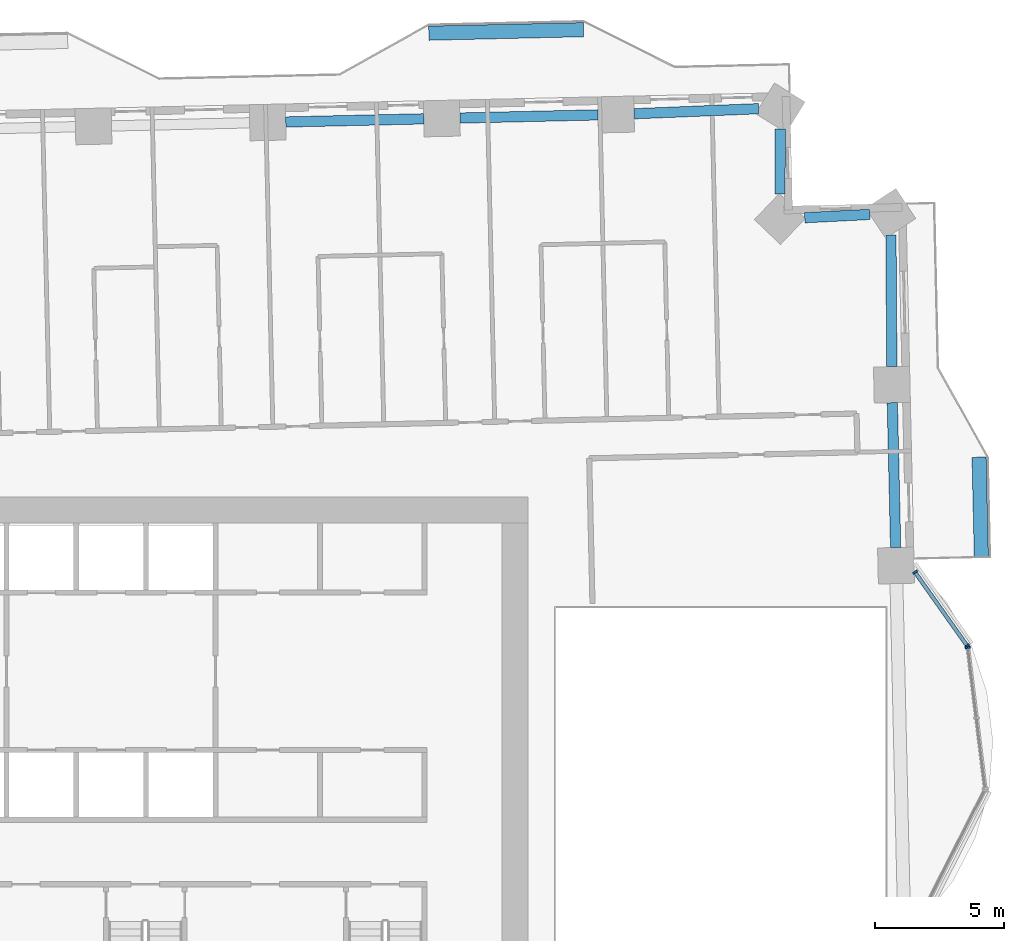
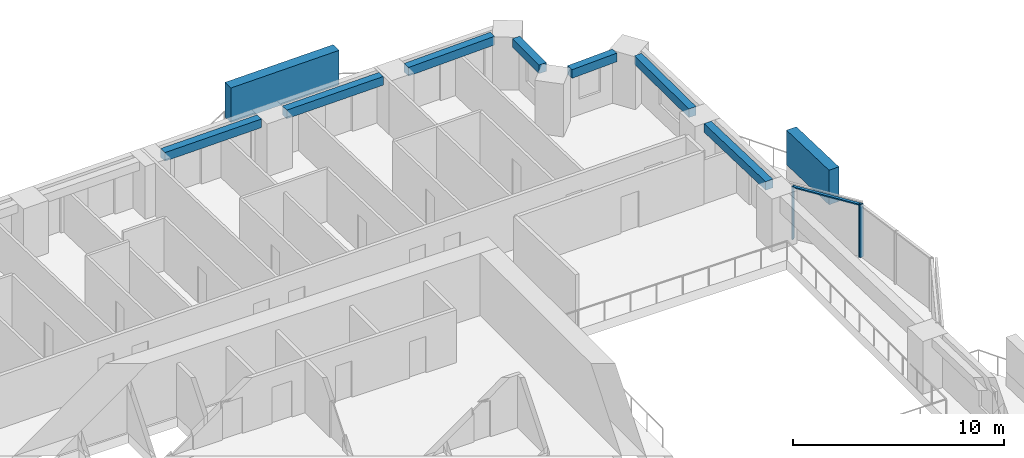
# One storey, part 4 of 17: 7 beams, 6 members, 2 elements without a shape of their own.
"""IFC4 building model written with IfcOpenShell, lengths in metres."""

from ifc_helpers import new_model, si_unit, direction, frame, origin, origin_2d, place, context, subcontext, project, spatial, rectangle, extrude, material, material_profile, profile_set, type_object, element, aggregate, save


model = new_model("IFC4")

# Units and contexts
model_context = context("Model", 3, precision=1e-05, world=origin(), true_north=direction((0.0, 1.0)))
body_context = subcontext(model_context, "Body", "Model", "MODEL_VIEW")
ifc_project = project(units=[si_unit("LENGTHUNIT", "METRE"), si_unit("AREAUNIT", "SQUARE_METRE"), si_unit("VOLUMEUNIT", "CUBIC_METRE"), si_unit("PLANEANGLEUNIT", "RADIAN"), si_unit("MASSUNIT", "GRAM", prefix="KILO")], contexts=[model_context])

# Site, building, storey
site_placement = place(None, origin())
site = spatial("IfcSite", under=ifc_project, at=site_placement, CompositionType="ELEMENT")
building_placement = place(site_placement, origin())
building = spatial("IfcBuilding", under=site, at=building_placement, Name="Mangrove Gate Tower", CompositionType="ELEMENT")
storey_placement = place(building_placement, frame((0.0, 0.0, 93.699951171875)))
storey = spatial("IfcBuildingStorey", under=building, at=storey_placement, Name="L23", CompositionType="ELEMENT", Elevation=93.699951171875)

# Curtain wall, member
ifc_material_1 = material(Name="Aluminium and glass curtain wall", Category="aluminium")
curtain_wall_type = type_object("IfcCurtainWallType", Name="Atrium garden-court glazing wall", PredefinedType="NOTDEFINED", material=ifc_material_1)
curtain_wall_1_placement = place(storey_placement, origin())
curtain_wall_1 = element("IfcCurtainWall", 1, at=curtain_wall_1_placement, inside=storey, type_object=curtain_wall_type, Name="Atrium garden-court glazing E1f2", PredefinedType="NOTDEFINED")
ifc_material_2 = material(Name="Aluminium alloy 6063-T6", Category="aluminium")
ifc_material_profile_1 = material_profile(ifc_material_2, rectangle(XDim=0.070068359375, YDim=0.199951171875, at=origin_2d()))
ifc_profile_set_1 = profile_set([ifc_material_profile_1], Name="Aluminium alloy 6063-T6")
member_type_1 = type_object("IfcMemberType", Name="Atrium garden-court glazing mullion 70x200", PredefinedType="MULLION", material=ifc_profile_set_1)
member_1_placement = place(storey_placement, frame((31.85546875, 5.97509765625, 0.0), z_axis=(0.0, 0.0, 1.0), x_axis=(-0.122172286076, 0.992508908028, 0.0)))
member_1 = element("IfcMember", 2, at=member_1_placement, type_object=member_type_1, Name="CWA mullion 3", PredefinedType="MULLION", context=body_context, shape_type="SweptSolid", body=[
    extrude(rectangle(XDim=0.070068359375, YDim=0.199951171875, at=origin_2d()), origin(), (0.0, 0.0, 1.0), 3.050048828125),
])
aggregate(curtain_wall_1, [member_1])

# Curtain wall, members
curtain_wall_2_placement = place(storey_placement, origin())
curtain_wall_2 = element("IfcCurtainWall", 3, at=curtain_wall_2_placement, inside=storey, type_object=curtain_wall_type, Name="Atrium garden-court glazing E1f3", PredefinedType="NOTDEFINED")
member_2_placement = place(storey_placement, frame((31.8310546875, 6.038330078125, 0.0), z_axis=(0.0, 0.0, 1.0), x_axis=(-0.578109291006, 0.815959341911, 0.0)))
member_2 = element("IfcMember", 4, at=member_2_placement, type_object=member_type_1, Name="CWA mullion 1", PredefinedType="MULLION", context=body_context, shape_type="SweptSolid", body=[
    extrude(rectangle(XDim=0.070068359375, YDim=0.199951171875, at=origin_2d()), origin(), (0.0, 0.0, 1.0), 3.050048828125),
])
member_3_placement = place(storey_placement, frame((29.808837890625, 8.892578125, 0.0), z_axis=(0.0, 0.0, 1.0), x_axis=(-0.578109291006, 0.815959341911, 0.0)))
member_3 = element("IfcMember", 5, at=member_3_placement, type_object=member_type_1, Name="CWA mullion 2", PredefinedType="MULLION", context=body_context, shape_type="SweptSolid", body=[
    extrude(rectangle(XDim=0.070068359375, YDim=0.199951171875, at=origin_2d()), origin(), (0.0, 0.0, 1.0), 3.050048828125),
])
ifc_material_3 = material(Name="Aluminium alloy 6063-T6", Category="aluminium")
ifc_material_profile_2 = material_profile(ifc_material_3, rectangle(XDim=0.070068359375, YDim=0.14990234375, at=origin_2d()))
ifc_profile_set_2 = profile_set([ifc_material_profile_2], Name="Aluminium alloy 6063-T6")
member_type_2 = type_object("IfcMemberType", Name="Atrium garden-court glazing transom 70x150", PredefinedType="USERDEFINED", material=ifc_profile_set_2)
member_4_placement = place(storey_placement, frame((31.810791015625, 6.06689453125, 3.01513671875), z_axis=(-0.578094404228, 0.815969889028, 0.0), x_axis=(0.0, 0.0, 1.0)))
member_4 = element("IfcMember", 6, at=member_4_placement, type_object=member_type_2, Name="CWA transom 1.2", ObjectType="TRANSOM", PredefinedType="USERDEFINED", context=body_context, shape_type="SweptSolid", body=[
    extrude(rectangle(XDim=0.070068359375, YDim=0.14990234375, at=origin_2d()), origin(), (0.0, 0.0, 1.0), 3.427978515625),
])
aggregate(curtain_wall_2, [member_2, member_3, member_4])

# Members
ifc_material_4 = material(Name="Planting on aluminium trellis", Category="aluminium")
ifc_material_profile_3 = material_profile(ifc_material_4, rectangle(XDim=0.550048828125, YDim=2.0, at=origin_2d()))
ifc_profile_set_3 = profile_set([ifc_material_profile_3], Name="Planting on aluminium trellis")
member_type_3 = type_object("IfcMemberType", Name="Balcony greenery screen 550x2000", PredefinedType="USERDEFINED", material=ifc_profile_set_3)
member_5_placement = place(storey_placement, frame((32.381103515625, 9.47607421875, 1.800048828125), z_axis=(-0.022744303924, 0.999741314861, 0.0), x_axis=(-0.999741314861, -0.022744303924, 0.0)))
element("IfcMember", 7, at=member_5_placement, inside=storey, type_object=member_type_3, Name="GREEN SCREEN L23 E1.1", ObjectType="PLANTING", PredefinedType="USERDEFINED", context=body_context, shape_type="SweptSolid", body=[
    extrude(rectangle(XDim=0.550048828125, YDim=2.0, at=origin_2d()), origin(), (0.0, 0.0, 1.0), 3.875),
])
member_6_placement = place(storey_placement, frame((10.964111328125, 29.784912109375, 1.800048828125), z_axis=(0.999743073592, 0.022666865795, 0.0), x_axis=(-0.022666865795, 0.999743073592, 0.0)))
element("IfcMember", 8, at=member_6_placement, inside=storey, type_object=member_type_3, Name="GREEN SCREEN L23 N0.1", ObjectType="PLANTING", PredefinedType="USERDEFINED", context=body_context, shape_type="SweptSolid", body=[
    extrude(rectangle(XDim=0.550048828125, YDim=2.0, at=origin_2d()), origin(), (0.0, 0.0, 1.0), 5.999267578125),
])

# Beams
ifc_material_5 = material(Name="Concrete C50/60", Category="concrete")
ifc_material_profile_4 = material_profile(ifc_material_5, rectangle(XDim=0.39990234375, YDim=0.5, at=origin_2d()))
ifc_profile_set_4 = profile_set([ifc_material_profile_4], Name="Concrete C50/60")
beam_type = type_object("IfcBeamType", Name="Edge beam RC 400x500 C50/60", PredefinedType="BEAM", material=ifc_profile_set_4)
beam_1_placement = place(storey_placement, frame((29.057373046875, 9.849853515625, 2.800048828125), z_axis=(-0.022704608977, 0.99974221714, 0.0), x_axis=(-0.99974221714, -0.022704608977, 0.0)))
element("IfcBeam", 9, at=beam_1_placement, inside=storey, type_object=beam_type, Name="Edge beam L23 16", PredefinedType="BEAM", context=body_context, shape_type="SweptSolid", body=[
    extrude(rectangle(XDim=0.39990234375, YDim=0.5, at=origin_2d()), origin(), (0.0, 0.0, 1.0), 5.613037109375),
])
beam_2_placement = place(storey_placement, frame((28.90966796875, 16.861083984375, 2.800048828125), z_axis=(-0.006550808608, 0.999978543223, 0.0), x_axis=(-0.999978543223, -0.006550808608, 0.0)))
element("IfcBeam", 10, at=beam_2_placement, inside=storey, type_object=beam_type, Name="Edge beam L23 17", PredefinedType="BEAM", context=body_context, shape_type="SweptSolid", body=[
    extrude(rectangle(XDim=0.39990234375, YDim=0.5, at=origin_2d()), origin(), (0.0, 0.0, 1.0), 5.105712890625),
])
beam_3_placement = place(storey_placement, frame((28.0595703125, 22.76025390625, 2.800048828125), z_axis=(-0.998695122751, -0.051069088442, 0.0), x_axis=(0.051069088442, -0.998695122751, 0.0)))
element("IfcBeam", 11, at=beam_3_placement, inside=storey, type_object=beam_type, Name="Edge beam L23 18", PredefinedType="BEAM", context=body_context, shape_type="SweptSolid", body=[
    extrude(rectangle(XDim=0.39990234375, YDim=0.5, at=origin_2d()), origin(), (0.0, 0.0, 1.0), 2.529052734375),
])
beam_4_placement = place(storey_placement, frame((24.57568359375, 23.547119140625, 2.800048828125), z_axis=(0.003483288012, 0.999993933334, 0.0), x_axis=(-0.999993933334, 0.003483288012, 0.0)))
element("IfcBeam", 12, at=beam_4_placement, inside=storey, type_object=beam_type, Name="Edge beam L23 19", PredefinedType="BEAM", context=body_context, shape_type="SweptSolid", body=[
    extrude(rectangle(XDim=0.39990234375, YDim=0.5, at=origin_2d()), origin(), (0.0, 0.0, 1.0), 2.523193359375),
])
beam_5_placement = place(storey_placement, frame((23.74267578125, 26.857666015625, 2.800048828125), z_axis=(-0.999174978346, -0.040612346002, 0.0), x_axis=(0.040612346002, -0.999174978346, 0.0)))
element("IfcBeam", 13, at=beam_5_placement, inside=storey, type_object=beam_type, Name="Edge beam L23 20", PredefinedType="BEAM", context=body_context, shape_type="SweptSolid", body=[
    extrude(rectangle(XDim=0.39990234375, YDim=0.5, at=origin_2d()), origin(), (0.0, 0.0, 1.0), 4.8271484375),
])
for number, where, z_axis, x_axis, name in (
    (14, (17.52001953125, 26.617431640625, 2.800048828125), (-0.999743035052, -0.022668565556, 0.0), (0.022668565556, -0.999743035052, 0.0), "Edge beam L23 21"),
    (15, (10.76904296875, 26.46435546875, 2.800048828125), (-0.999743035052, -0.022668565556, 0.0), (0.022668565556, -0.999743035052, 0.0), "Edge beam L23 22"),
):
    element("IfcBeam", number, at=place(storey_placement, frame(where, z_axis=z_axis, x_axis=x_axis)), inside=storey, type_object=beam_type, Name=name, PredefinedType="BEAM", context=body_context, shape_type="SweptSolid", body=[
        extrude(rectangle(XDim=0.39990234375, YDim=0.5, at=origin_2d()), origin(), (0.0, 0.0, 1.0), 5.352783203125),
    ])

save(model, "model.ifc")
